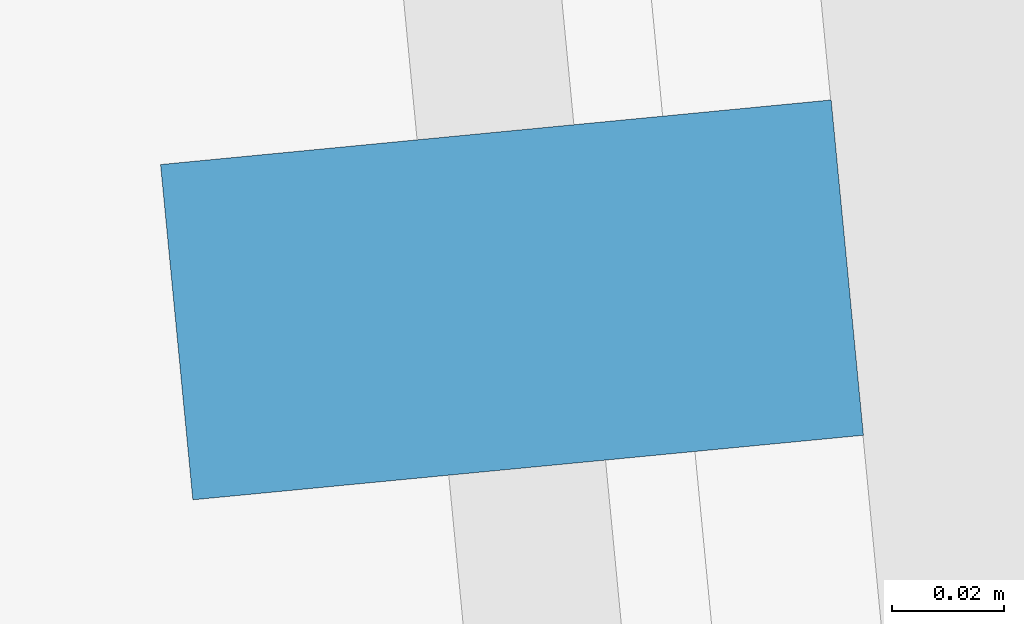
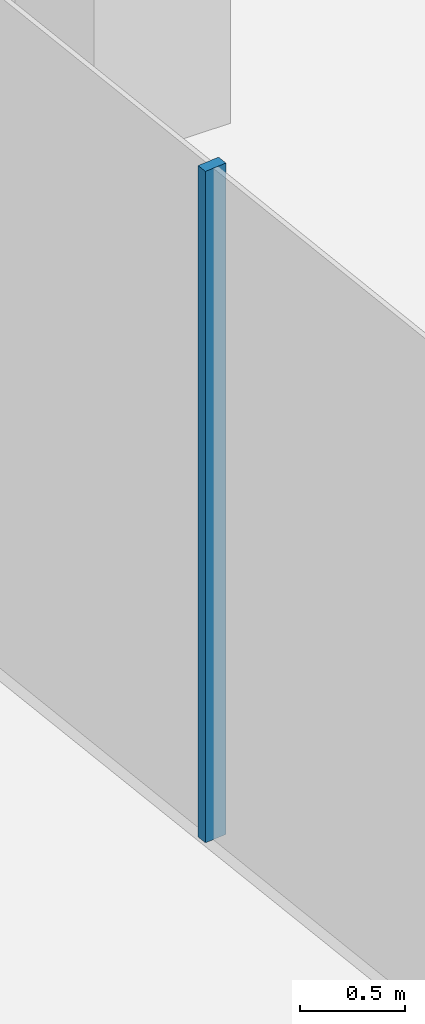
# One storey, part 9 of 22: 1 member, 1 element without a shape of its own.
"""IFC4 building model written with IfcOpenShell, lengths in metres."""

from ifc_helpers import new_model, si_unit, direction, frame, origin, origin_2d, place, context, subcontext, project, spatial, rectangle, extrude, material, layer, layer_set, material_profile, profile_set, type_object, element, aggregate, save


model = new_model("IFC4")

# Units and contexts
model_context = context("Model", 3, precision=1e-05, world=origin(), true_north=direction((0.0, 1.0)))
body_context = subcontext(model_context, "Body", "Model", "MODEL_VIEW")
ifc_project = project(units=[si_unit("LENGTHUNIT", "METRE"), si_unit("AREAUNIT", "SQUARE_METRE"), si_unit("VOLUMEUNIT", "CUBIC_METRE"), si_unit("PLANEANGLEUNIT", "RADIAN"), si_unit("MASSUNIT", "GRAM", prefix="KILO")], contexts=[model_context])

# Site, building, storey
site_placement = place(None, origin())
site = spatial("IfcSite", under=ifc_project, at=site_placement, CompositionType="ELEMENT")
building_placement = place(site_placement, origin())
building = spatial("IfcBuilding", under=site, at=building_placement, Name="Welwitschia Terrace Campus", CompositionType="ELEMENT")
storey_placement = place(building_placement, frame((0.0, 0.0, 310.39990234375)))
storey = spatial("IfcBuildingStorey", under=building, at=storey_placement, Name="L69", CompositionType="ELEMENT", Elevation=310.39990234375)

# Curtain wall, member
ifc_material_1 = material(Name="Bronze anodised aluminium", Category="aluminium")
ifc_layer = layer(ifc_material_1, 0.1201171875)
ifc_layer_set = layer_set([ifc_layer], Name="Bronze anodised aluminium")
curtain_wall_type = type_object("IfcCurtainWallType", Name="Curtain wall CW2 tower 6000", PredefinedType="NOTDEFINED", material=ifc_layer_set)
curtain_wall_placement = place(storey_placement, origin())
curtain_wall = element("IfcCurtainWall", 1, at=curtain_wall_placement, inside=storey, type_object=curtain_wall_type, Name="CW L69.11.0", PredefinedType="NOTDEFINED")
ifc_material_2 = material(Name="Bronze anodised aluminium", Category="aluminium")
ifc_material_profile = material_profile(ifc_material_2, rectangle(XDim=0.1201171875, YDim=0.06005859375, at=origin_2d()))
ifc_profile_set = profile_set([ifc_material_profile], Name="Bronze anodised aluminium")
member_type = type_object("IfcMemberType", Name="Mullion 60x120", PredefinedType="MULLION", material=ifc_profile_set)
member_placement = place(storey_placement, frame((-2.655517578125, 44.550048828125, 0.0), z_axis=(0.0, 0.0, 1.0), x_axis=(0.995396198367, 0.09584575252, 0.0)))
member = element("IfcMember", 2, at=member_placement, type_object=member_type, Name="Mullion L69.11.0.3", PredefinedType="MULLION", context=body_context, shape_type="SweptSolid", body=[
    extrude(rectangle(XDim=0.1201171875, YDim=0.06005859375, at=origin_2d()), origin(), (0.0, 0.0, 1.0), 3.900146484375),
])
aggregate(curtain_wall, [member])

save(model, "model.ifc")
